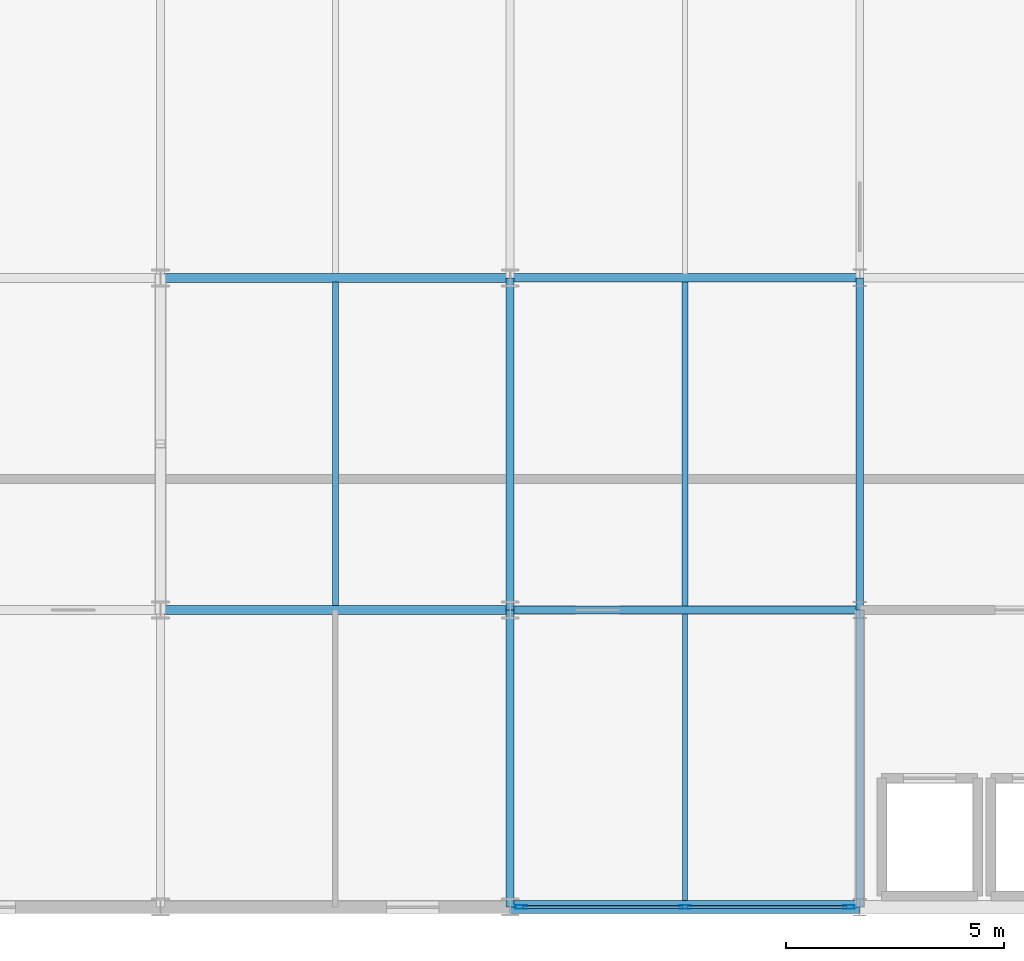
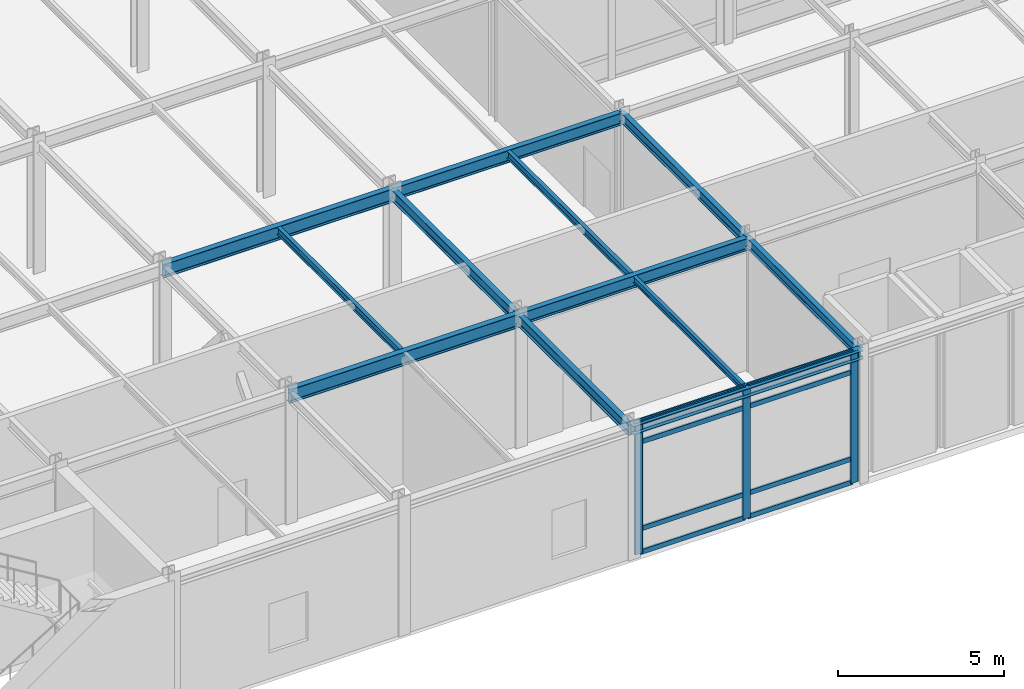
# One storey, part 23 of 79: 12 beams, 11 members, 1 element without a shape of its own.
"""IFC4 building model written with IfcOpenShell, lengths in metres."""

from ifc_helpers import new_model, si_unit, direction, frame, origin, origin_2d, place, context, subcontext, project, spatial, hollow_rectangle, i_section, extrude, material, layer, layer_set, material_profile, profile_set, type_object, element, aggregate, save


model = new_model("IFC4")

# Units and contexts
model_context = context("Model", 3, precision=1e-05, world=origin(), true_north=direction((0.0, 1.0)))
body_context = subcontext(model_context, "Body", "Model", "MODEL_VIEW")
ifc_project = project(units=[si_unit("LENGTHUNIT", "METRE"), si_unit("AREAUNIT", "SQUARE_METRE"), si_unit("VOLUMEUNIT", "CUBIC_METRE"), si_unit("PLANEANGLEUNIT", "RADIAN"), si_unit("MASSUNIT", "GRAM", prefix="KILO")], contexts=[model_context])

# Site, building, storey
site_placement = place(None, origin())
site = spatial("IfcSite", under=ifc_project, at=site_placement, CompositionType="ELEMENT")
building_placement = place(site_placement, origin())
building = spatial("IfcBuilding", under=site, at=building_placement, Name="Shalkamar Park Central Library", CompositionType="ELEMENT")
storey_placement = place(building_placement, frame((0.0, 0.0, 10.5)))
storey = spatial("IfcBuildingStorey", under=building, at=storey_placement, Name="L03", CompositionType="ELEMENT", Elevation=10.5)

# Beams
ifc_material_1 = material(Name="Steel S355", Category="steel")
ifc_material_profile_1 = material_profile(ifc_material_1, i_section(OverallWidth=0.1201171875, OverallDepth=0.239990234375, WebThickness=0.006103515625, FlangeThickness=0.009765625, FilletRadius=0.014892578125, at=origin_2d()), Name="IPE 240")
ifc_profile_set_1 = profile_set([ifc_material_profile_1], Name="Steel S355")
beam_type_1 = type_object("IfcBeamType", Name="Composite Floor Joist IPE240", PredefinedType="JOIST", material=ifc_profile_set_1)
beam_1_placement = place(storey_placement, frame((225.0, 248.548095703125, 4.719970703125), z_axis=(0.0, 1.0, 0.0), x_axis=(-1.0, 0.0, 0.0)))
element("IfcBeam", 1, at=beam_1_placement, inside=storey, type_object=beam_type_1, Name="Composite Joist 14/B-1 (L03)", PredefinedType="JOIST", context=body_context, shape_type="SweptSolid", body=[
    extrude(i_section(OverallWidth=0.1201171875, OverallDepth=0.239990234375, WebThickness=0.006103515625, FlangeThickness=0.009765625, FilletRadius=0.014892578125, at=origin_2d()), origin(), (0.0, 0.0, 1.0), 6.558837890625),
])
ifc_material_profile_2 = material_profile(ifc_material_1, i_section(OverallWidth=0.135009765625, OverallDepth=0.27001953125, WebThickness=0.006591796875, FlangeThickness=0.01025390625, FilletRadius=0.014892578125, at=origin_2d()), Name="IPE 270")
ifc_profile_set_2 = profile_set([ifc_material_profile_2], Name="Steel S355")
beam_type_2 = type_object("IfcBeamType", Name="Composite Floor Joist IPE270", PredefinedType="JOIST", material=ifc_profile_set_2)
beam_2_placement = place(storey_placement, frame((217.0, 255.298095703125, 4.705078125), z_axis=(0.0, 1.0, 0.0), x_axis=(-1.0, 0.0, 0.0)))
element("IfcBeam", 2, at=beam_2_placement, inside=storey, type_object=beam_type_2, Name="Composite Joist 13/C-1 (L03)", PredefinedType="JOIST", context=body_context, shape_type="SweptSolid", body=[
    extrude(i_section(OverallWidth=0.135009765625, OverallDepth=0.27001953125, WebThickness=0.006591796875, FlangeThickness=0.01025390625, FilletRadius=0.014892578125, at=origin_2d()), origin(), (0.0, 0.0, 1.0), 7.40380859375),
])
beam_3_placement = place(storey_placement, frame((225.0, 255.29296875, 4.705078125), z_axis=(0.0, 1.0, 0.0), x_axis=(-1.0, 0.0, 0.0)))
element("IfcBeam", 3, at=beam_3_placement, inside=storey, type_object=beam_type_2, Name="Composite Joist 14/C-1 (L03)", PredefinedType="JOIST", context=body_context, shape_type="SweptSolid", body=[
    extrude(i_section(OverallWidth=0.135009765625, OverallDepth=0.27001953125, WebThickness=0.006591796875, FlangeThickness=0.01025390625, FilletRadius=0.014892578125, at=origin_2d()), origin(), (0.0, 0.0, 1.0), 7.4140625),
])

# Curtain wall, members
ifc_material_2 = material(Name="Thermally broken aluminium and triple low-e curtain wall", Category="aluminium")
ifc_layer = layer(ifc_material_2, 0.264892578125)
ifc_layer_set = layer_set([ifc_layer], Name="UnitisedCurtainWall_40")
curtain_wall_type = type_object("IfcCurtainWallType", Name="Unitised Curtain Wall 40", PredefinedType="USERDEFINED", material=ifc_layer_set)
curtain_wall_placement = place(storey_placement, origin())
curtain_wall = element("IfcCurtainWall", 4, at=curtain_wall_placement, inside=storey, type_object=curtain_wall_type, Name="Unitised Curtain Wall CW-L03-046", ObjectType="UNITISED CURTAIN WALL", PredefinedType="USERDEFINED")
ifc_material_3 = material(Name="Aluminium 6060-T66", Category="aluminium")
ifc_material_profile_3 = material_profile(ifc_material_3, hollow_rectangle(XDim=0.0849609375, YDim=0.264892578125, WallThickness=0.0048828125, InnerFilletRadius=0.0048828125, OuterFilletRadius=0.007568359375, at=origin_2d()), Name="ALU 85x265x5")
ifc_profile_set_3 = profile_set([ifc_material_profile_3], Name="Aluminium 6060-T66")
member_type_1 = type_object("IfcMemberType", Name="Curtain Wall Mullion ALU85x265", PredefinedType="MULLION", material=ifc_profile_set_3)
member_1_placement = place(storey_placement, frame((221.25439453125, 248.39990234375, 0.0), z_axis=(0.0, 0.0, 1.0), x_axis=(0.0, 1.0, 0.0)))
member_1 = element("IfcMember", 5, at=member_1_placement, type_object=member_type_1, Name="CW-40 mullion 1", PredefinedType="MULLION", context=body_context, shape_type="SweptSolid", body=[
    extrude(hollow_rectangle(XDim=0.0849609375, YDim=0.264892578125, WallThickness=0.0048828125, InnerFilletRadius=0.0048828125, OuterFilletRadius=0.007568359375, at=origin_2d()), origin(), (0.0, 0.0, 1.0), 4.840087890625),
])
member_2_placement = place(storey_placement, frame((225.00390625, 248.39990234375, 0.0), z_axis=(0.0, 0.0, 1.0), x_axis=(0.0, 1.0, 0.0)))
member_2 = element("IfcMember", 6, at=member_2_placement, type_object=member_type_1, Name="CW-40 mullion 2", PredefinedType="MULLION", context=body_context, shape_type="SweptSolid", body=[
    extrude(hollow_rectangle(XDim=0.0849609375, YDim=0.264892578125, WallThickness=0.0048828125, InnerFilletRadius=0.0048828125, OuterFilletRadius=0.007568359375, at=origin_2d()), origin(), (0.0, 0.0, 1.0), 4.840087890625),
])
member_3_placement = place(storey_placement, frame((228.75341796875, 248.39990234375, 0.0), z_axis=(0.0, 0.0, 1.0), x_axis=(0.0, 1.0, 0.0)))
member_3 = element("IfcMember", 7, at=member_3_placement, type_object=member_type_1, Name="CW-40 mullion 3", PredefinedType="MULLION", context=body_context, shape_type="SweptSolid", body=[
    extrude(hollow_rectangle(XDim=0.0849609375, YDim=0.264892578125, WallThickness=0.0048828125, InnerFilletRadius=0.0048828125, OuterFilletRadius=0.007568359375, at=origin_2d()), origin(), (0.0, 0.0, 1.0), 4.840087890625),
])
ifc_material_profile_4 = material_profile(ifc_material_3, hollow_rectangle(XDim=0.070068359375, YDim=0.179931640625, WallThickness=0.00439453125, InnerFilletRadius=0.00439453125, OuterFilletRadius=0.0068359375, at=origin_2d()), Name="ALU 70x180x4.5")
ifc_profile_set_4 = profile_set([ifc_material_profile_4], Name="Aluminium 6060-T66")
member_type_2 = type_object("IfcMemberType", Name="Curtain Wall Transom ALU70x180", PredefinedType="USERDEFINED", material=ifc_profile_set_4)
member_4_placement = place(storey_placement, frame((221.297119140625, 248.39990234375, 0.034912109375), z_axis=(1.0, 0.0, 0.0), x_axis=(0.0, 1.0, 0.0)))
member_4 = element("IfcMember", 8, at=member_4_placement, type_object=member_type_2, Name="CW-40 transom 1.1", ObjectType="TRANSOM", PredefinedType="USERDEFINED", context=body_context, shape_type="SweptSolid", body=[
    extrude(hollow_rectangle(XDim=0.070068359375, YDim=0.179931640625, WallThickness=0.00439453125, InnerFilletRadius=0.00439453125, OuterFilletRadius=0.0068359375, at=origin_2d()), origin(), (0.0, 0.0, 1.0), 3.664306640625),
])
member_5_placement = place(storey_placement, frame((221.297119140625, 248.39990234375, 0.89990234375), z_axis=(1.0, 0.0, 0.0), x_axis=(0.0, 1.0, 0.0)))
member_5 = element("IfcMember", 9, at=member_5_placement, type_object=member_type_2, Name="CW-40 transom 1.2", ObjectType="TRANSOM", PredefinedType="USERDEFINED", context=body_context, shape_type="SweptSolid", body=[
    extrude(hollow_rectangle(XDim=0.070068359375, YDim=0.179931640625, WallThickness=0.00439453125, InnerFilletRadius=0.00439453125, OuterFilletRadius=0.0068359375, at=origin_2d()), origin(), (0.0, 0.0, 1.0), 3.664306640625),
])
member_6_placement = place(storey_placement, frame((221.297119140625, 248.39990234375, 4.090087890625), z_axis=(1.0, 0.0, 0.0), x_axis=(0.0, 1.0, 0.0)))
member_6 = element("IfcMember", 10, at=member_6_placement, type_object=member_type_2, Name="CW-40 transom 1.3", ObjectType="TRANSOM", PredefinedType="USERDEFINED", context=body_context, shape_type="SweptSolid", body=[
    extrude(hollow_rectangle(XDim=0.070068359375, YDim=0.179931640625, WallThickness=0.00439453125, InnerFilletRadius=0.00439453125, OuterFilletRadius=0.0068359375, at=origin_2d()), origin(), (0.0, 0.0, 1.0), 3.664306640625),
])
member_7_placement = place(storey_placement, frame((221.297119140625, 248.39990234375, 4.804931640625), z_axis=(1.0, 0.0, 0.0), x_axis=(0.0, 1.0, 0.0)))
member_7 = element("IfcMember", 11, at=member_7_placement, type_object=member_type_2, Name="CW-40 transom 1.4", ObjectType="TRANSOM", PredefinedType="USERDEFINED", context=body_context, shape_type="SweptSolid", body=[
    extrude(hollow_rectangle(XDim=0.070068359375, YDim=0.179931640625, WallThickness=0.00439453125, InnerFilletRadius=0.00439453125, OuterFilletRadius=0.0068359375, at=origin_2d()), origin(), (0.0, 0.0, 1.0), 3.664306640625),
])
member_8_placement = place(storey_placement, frame((225.04638671875, 248.39990234375, 0.034912109375), z_axis=(1.0, 0.0, 0.0), x_axis=(0.0, 1.0, 0.0)))
member_8 = element("IfcMember", 12, at=member_8_placement, type_object=member_type_2, Name="CW-40 transom 2.1", ObjectType="TRANSOM", PredefinedType="USERDEFINED", context=body_context, shape_type="SweptSolid", body=[
    extrude(hollow_rectangle(XDim=0.070068359375, YDim=0.179931640625, WallThickness=0.00439453125, InnerFilletRadius=0.00439453125, OuterFilletRadius=0.0068359375, at=origin_2d()), origin(), (0.0, 0.0, 1.0), 3.66455078125),
])
member_9_placement = place(storey_placement, frame((225.04638671875, 248.39990234375, 0.89990234375), z_axis=(1.0, 0.0, 0.0), x_axis=(0.0, 1.0, 0.0)))
member_9 = element("IfcMember", 13, at=member_9_placement, type_object=member_type_2, Name="CW-40 transom 2.2", ObjectType="TRANSOM", PredefinedType="USERDEFINED", context=body_context, shape_type="SweptSolid", body=[
    extrude(hollow_rectangle(XDim=0.070068359375, YDim=0.179931640625, WallThickness=0.00439453125, InnerFilletRadius=0.00439453125, OuterFilletRadius=0.0068359375, at=origin_2d()), origin(), (0.0, 0.0, 1.0), 3.66455078125),
])
member_10_placement = place(storey_placement, frame((225.04638671875, 248.39990234375, 4.090087890625), z_axis=(1.0, 0.0, 0.0), x_axis=(0.0, 1.0, 0.0)))
member_10 = element("IfcMember", 14, at=member_10_placement, type_object=member_type_2, Name="CW-40 transom 2.3", ObjectType="TRANSOM", PredefinedType="USERDEFINED", context=body_context, shape_type="SweptSolid", body=[
    extrude(hollow_rectangle(XDim=0.070068359375, YDim=0.179931640625, WallThickness=0.00439453125, InnerFilletRadius=0.00439453125, OuterFilletRadius=0.0068359375, at=origin_2d()), origin(), (0.0, 0.0, 1.0), 3.66455078125),
])
member_11_placement = place(storey_placement, frame((225.04638671875, 248.39990234375, 4.804931640625), z_axis=(1.0, 0.0, 0.0), x_axis=(0.0, 1.0, 0.0)))
member_11 = element("IfcMember", 15, at=member_11_placement, type_object=member_type_2, Name="CW-40 transom 2.4", ObjectType="TRANSOM", PredefinedType="USERDEFINED", context=body_context, shape_type="SweptSolid", body=[
    extrude(hollow_rectangle(XDim=0.070068359375, YDim=0.179931640625, WallThickness=0.00439453125, InnerFilletRadius=0.00439453125, OuterFilletRadius=0.0068359375, at=origin_2d()), origin(), (0.0, 0.0, 1.0), 3.66455078125),
])
aggregate(curtain_wall, [member_1, member_2, member_3, member_4, member_5, member_6, member_7, member_8, member_9, member_10, member_11])

# Beams
ifc_material_profile_5 = material_profile(ifc_material_1, i_section(OverallWidth=0.300048828125, OverallDepth=0.31005859375, WebThickness=0.009033203125, FlangeThickness=0.015380859375, FilletRadius=0.027099609375, at=origin_2d()), Name="HEA 320")
ifc_profile_set_5 = profile_set([ifc_material_profile_5], Name="Steel S355")
beam_type_3 = type_object("IfcBeamType", Name="Perimeter Spandrel Beam HEA320", PredefinedType="SPANDREL", material=ifc_profile_set_5)
beam_4_placement = place(storey_placement, frame((221.0, 248.39990234375, 4.68505859375), z_axis=(1.0, 0.0, 0.0), x_axis=(0.0, 1.0, 0.0)))
element("IfcBeam", 16, at=beam_4_placement, inside=storey, type_object=beam_type_3, Name="Beam B:14-15 (L03)", PredefinedType="SPANDREL", context=body_context, shape_type="SweptSolid", body=[
    extrude(i_section(OverallWidth=0.300048828125, OverallDepth=0.31005859375, WebThickness=0.009033203125, FlangeThickness=0.015380859375, FilletRadius=0.027099609375, at=origin_2d()), origin(), (0.0, 0.0, 1.0), 8.0),
])
ifc_material_profile_6 = material_profile(ifc_material_1, i_section(OverallWidth=0.169921875, OverallDepth=0.360107421875, WebThickness=0.008056640625, FlangeThickness=0.0126953125, FilletRadius=0.01806640625, at=origin_2d()), Name="IPE 360")
ifc_profile_set_6 = profile_set([ifc_material_profile_6], Name="Steel S355")
beam_type_4 = type_object("IfcBeamType", Name="Primary Girder IPE360", PredefinedType="BEAM", material=ifc_profile_set_6)
beam_5_placement = place(storey_placement, frame((229.0, 248.39990234375, 4.659912109375), z_axis=(0.0, 1.0, 0.0), x_axis=(-1.0, 0.0, 0.0)))
element("IfcBeam", 17, at=beam_5_placement, inside=storey, type_object=beam_type_4, Name="Beam 15:B-C (L03)", PredefinedType="BEAM", context=body_context, shape_type="SweptSolid", body=[
    extrude(i_section(OverallWidth=0.169921875, OverallDepth=0.360107421875, WebThickness=0.008056640625, FlangeThickness=0.0126953125, FilletRadius=0.01806640625, at=origin_2d()), origin(), (0.0, 0.0, 1.0), 6.800048828125),
])
beam_6_placement = place(storey_placement, frame((229.0, 255.199951171875, 4.659912109375), z_axis=(0.0, 1.0, 0.0), x_axis=(-1.0, 0.0, 0.0)))
element("IfcBeam", 18, at=beam_6_placement, inside=storey, type_object=beam_type_4, Name="Beam 15:C-D (L03)", PredefinedType="BEAM", context=body_context, shape_type="SweptSolid", body=[
    extrude(i_section(OverallWidth=0.169921875, OverallDepth=0.360107421875, WebThickness=0.008056640625, FlangeThickness=0.0126953125, FilletRadius=0.01806640625, at=origin_2d()), origin(), (0.0, 0.0, 1.0), 7.60009765625),
])
ifc_material_profile_7 = material_profile(ifc_material_1, i_section(OverallWidth=0.179931640625, OverallDepth=0.39990234375, WebThickness=0.008544921875, FlangeThickness=0.013427734375, FilletRadius=0.02099609375, at=origin_2d()), Name="IPE 400")
ifc_profile_set_7 = profile_set([ifc_material_profile_7], Name="Steel S355")
beam_type_5 = type_object("IfcBeamType", Name="Primary Girder IPE400", PredefinedType="BEAM", material=ifc_profile_set_7)
beam_7_placement = place(storey_placement, frame((221.0, 248.39990234375, 4.639892578125), z_axis=(0.0, 1.0, 0.0), x_axis=(-1.0, 0.0, 0.0)))
element("IfcBeam", 19, at=beam_7_placement, inside=storey, type_object=beam_type_5, Name="Beam 14:B-C (L03)", PredefinedType="BEAM", context=body_context, shape_type="SweptSolid", body=[
    extrude(i_section(OverallWidth=0.179931640625, OverallDepth=0.39990234375, WebThickness=0.008544921875, FlangeThickness=0.013427734375, FilletRadius=0.02099609375, at=origin_2d()), origin(), (0.0, 0.0, 1.0), 6.800048828125),
])
beam_8_placement = place(storey_placement, frame((221.0, 255.199951171875, 4.639892578125), z_axis=(0.0, 1.0, 0.0), x_axis=(-1.0, 0.0, 0.0)))
element("IfcBeam", 20, at=beam_8_placement, inside=storey, type_object=beam_type_5, Name="Beam 14:C-D (L03)", PredefinedType="BEAM", context=body_context, shape_type="SweptSolid", body=[
    extrude(i_section(OverallWidth=0.179931640625, OverallDepth=0.39990234375, WebThickness=0.008544921875, FlangeThickness=0.013427734375, FilletRadius=0.02099609375, at=origin_2d()), origin(), (0.0, 0.0, 1.0), 7.60009765625),
])
ifc_material_profile_8 = material_profile(ifc_material_1, i_section(OverallWidth=0.18994140625, OverallDepth=0.449951171875, WebThickness=0.009521484375, FlangeThickness=0.0146484375, FilletRadius=0.02099609375, at=origin_2d()), Name="IPE 450")
ifc_profile_set_8 = profile_set([ifc_material_profile_8], Name="Steel S355")
beam_type_6 = type_object("IfcBeamType", Name="Primary Girder IPE450", PredefinedType="BEAM", material=ifc_profile_set_8)
for number, where, z_axis, x_axis, name in (
    (21, (221.0, 255.199951171875, 4.614990234375), (1.0, 0.0, 0.0), (0.0, 1.0, 0.0), "Beam C:14-15 (L03)"),
    (22, (221.0, 262.800048828125, 4.614990234375), (1.0, 0.0, 0.0), (0.0, 1.0, 0.0), "Beam D:14-15 (L03)"),
):
    element("IfcBeam", number, at=place(storey_placement, frame(where, z_axis=z_axis, x_axis=x_axis)), inside=storey, type_object=beam_type_6, Name=name, PredefinedType="BEAM", context=body_context, shape_type="SweptSolid", body=[
        extrude(i_section(OverallWidth=0.18994140625, OverallDepth=0.449951171875, WebThickness=0.009521484375, FlangeThickness=0.0146484375, FilletRadius=0.02099609375, at=origin_2d()), origin(), (0.0, 0.0, 1.0), 8.0),
    ])
ifc_material_profile_9 = material_profile(ifc_material_1, i_section(OverallWidth=0.199951171875, OverallDepth=0.5, WebThickness=0.01025390625, FlangeThickness=0.01611328125, FilletRadius=0.02099609375, at=origin_2d()), Name="IPE 500")
ifc_profile_set_9 = profile_set([ifc_material_profile_9], Name="Steel S355")
beam_type_7 = type_object("IfcBeamType", Name="Primary Girder IPE500", PredefinedType="BEAM", material=ifc_profile_set_9)
for number, where, z_axis, x_axis, name in (
    (23, (213.0, 255.199951171875, 4.590087890625), (1.0, 0.0, 0.0), (0.0, 1.0, 0.0), "Beam C:13-14 (L03)"),
    (24, (213.0, 262.800048828125, 4.590087890625), (1.0, 0.0, 0.0), (0.0, 1.0, 0.0), "Beam D:13-14 (L03)"),
):
    element("IfcBeam", number, at=place(storey_placement, frame(where, z_axis=z_axis, x_axis=x_axis)), inside=storey, type_object=beam_type_7, Name=name, PredefinedType="BEAM", context=body_context, shape_type="SweptSolid", body=[
        extrude(i_section(OverallWidth=0.199951171875, OverallDepth=0.5, WebThickness=0.01025390625, FlangeThickness=0.01611328125, FilletRadius=0.02099609375, at=origin_2d()), origin(), (0.0, 0.0, 1.0), 8.0),
    ])

save(model, "model.ifc")
